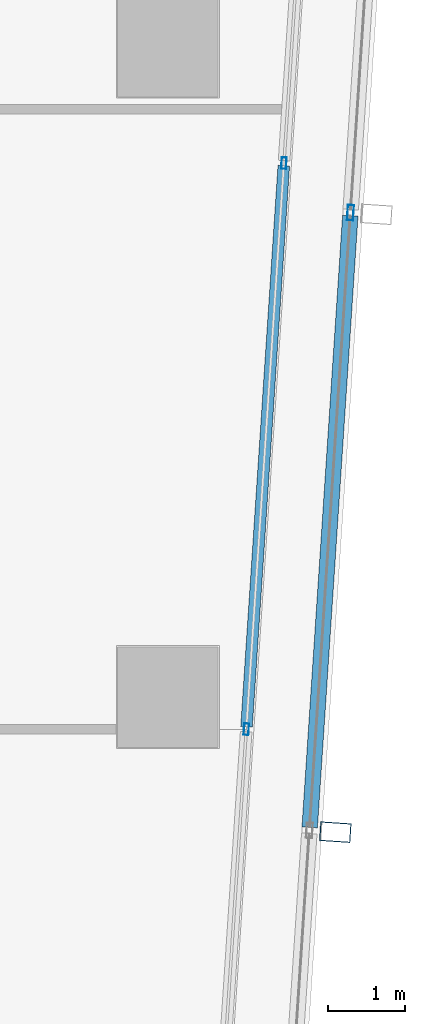
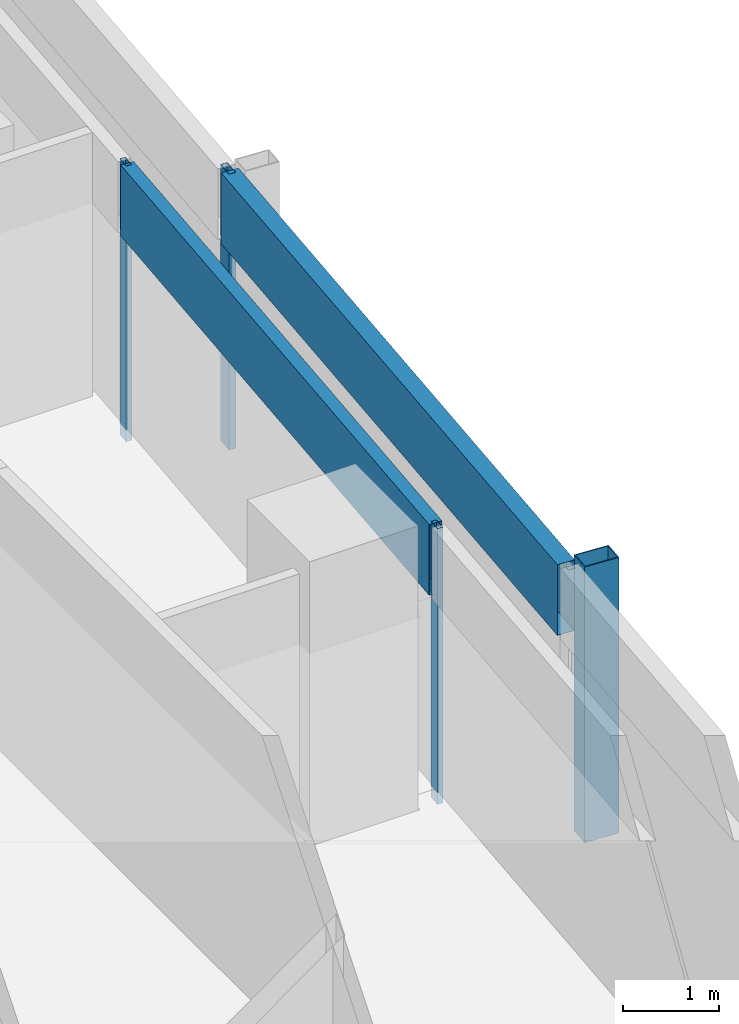
# One storey, part 12 of 29: 6 members, 2 elements without a shape of their own.
"""IFC4 building model written with IfcOpenShell, lengths in metres."""

from ifc_helpers import new_model, si_unit, direction, frame, origin, origin_2d, place, context, subcontext, project, spatial, hollow_rectangle, extrude, material, material_profile, profile_set, type_object, element, aggregate, save


model = new_model("IFC4")

# Units and contexts
model_context = context("Model", 3, precision=1e-05, world=origin(), true_north=direction((0.0, 1.0)))
body_context = subcontext(model_context, "Body", "Model", "MODEL_VIEW")
ifc_project = project(units=[si_unit("LENGTHUNIT", "METRE"), si_unit("AREAUNIT", "SQUARE_METRE"), si_unit("VOLUMEUNIT", "CUBIC_METRE"), si_unit("PLANEANGLEUNIT", "RADIAN"), si_unit("MASSUNIT", "GRAM", prefix="KILO")], contexts=[model_context])

# Site, building, storey
site_placement = place(None, origin())
site = spatial("IfcSite", under=ifc_project, at=site_placement, CompositionType="ELEMENT")
building_placement = place(site_placement, origin())
building = spatial("IfcBuilding", under=site, at=building_placement, Name="Rekha Terrace Tower", CompositionType="ELEMENT")
storey_placement = place(building_placement, frame((0.0, 0.0, 280.10009765625)))
storey = spatial("IfcBuildingStorey", under=building, at=storey_placement, Name="L71", CompositionType="ELEMENT", Elevation=280.10009765625)

# Curtain wall, member
ifc_material_1 = material(Name="Aluminium framing", Category="aluminium")
curtain_wall_type_1 = type_object("IfcCurtainWallType", Name="CW2 double skin outer glazing", PredefinedType="USERDEFINED", material=ifc_material_1)
curtain_wall_1_placement = place(storey_placement, origin())
curtain_wall_1 = element("IfcCurtainWall", 1, at=curtain_wall_1_placement, inside=storey, type_object=curtain_wall_type_1, Name="CW2 double skin outer glazing", ObjectType="DOUBLE SKIN OUTER GLAZING", PredefinedType="USERDEFINED")
ifc_material_2 = material(Name="Steel S355 with fluorocarbon finish", Category="steel")
ifc_material_profile_1 = material_profile(ifc_material_2, hollow_rectangle(XDim=0.25, YDim=0.39990234375, WallThickness=0.012451171875, at=origin_2d()), Name="RHS400x250x12.5")
ifc_profile_set_1 = profile_set([ifc_material_profile_1], Name="Steel S355 with fluorocarbon finish")
member_type_1 = type_object("IfcMemberType", Name="BL1 facade blade RHS 400 x 250", PredefinedType="USERDEFINED", material=ifc_profile_set_1)
member_1_placement = place(storey_placement, frame((60.9638671875, 23.45751953125, 0.0), z_axis=(0.0, 0.0, 1.0), x_axis=(0.066272158908, 0.99780158396, 0.0)))
member_1 = element("IfcMember", 2, at=member_1_placement, type_object=member_type_1, Name="Facade blade", ObjectType="FACADE BLADE", PredefinedType="USERDEFINED", context=body_context, shape_type="SweptSolid", body=[
    extrude(hollow_rectangle(XDim=0.25, YDim=0.39990234375, WallThickness=0.012451171875, at=origin_2d()), origin(), (0.0, 0.0, 1.0), 3.5),
])

# Curtain wall, members
curtain_wall_type_2 = type_object("IfcCurtainWallType", Name="CW1 double skin inner glazing", PredefinedType="USERDEFINED", material=ifc_material_1)
curtain_wall_2_placement = place(storey_placement, origin())
curtain_wall_2 = element("IfcCurtainWall", 3, at=curtain_wall_2_placement, inside=storey, type_object=curtain_wall_type_2, Name="CW1 double skin inner glazing", ObjectType="DOUBLE SKIN INNER GLAZING", PredefinedType="USERDEFINED")
ifc_material_3 = material(Name="Aluminium mullion section", Category="aluminium")
ifc_material_profile_2 = material_profile(ifc_material_3, hollow_rectangle(XDim=0.06494140625, YDim=0.14990234375, WallThickness=0.00390625, at=origin_2d()), Name="AL RHS 65x150")
ifc_profile_set_2 = profile_set([ifc_material_profile_2], Name="Aluminium mullion section")
member_type_2 = type_object("IfcMemberType", Name="CW1 mullion RHS 65 x 150", PredefinedType="MULLION", material=ifc_profile_set_2)
member_2_placement = place(storey_placement, frame((59.814453125, 24.78662109375, 0.0), z_axis=(0.0, 0.0, 1.0), x_axis=(-0.997801621769, 0.066271589649, 0.0)))
member_2 = element("IfcMember", 4, at=member_2_placement, type_object=member_type_2, Name="CW1 mullion 2", PredefinedType="MULLION", context=body_context, shape_type="SweptSolid", body=[
    extrude(hollow_rectangle(XDim=0.06494140625, YDim=0.14990234375, WallThickness=0.00390625, at=origin_2d()), origin(), (0.0, 0.0, 1.0), 3.5),
])
member_3_placement = place(storey_placement, frame((60.300048828125, 32.0966796875, 0.0), z_axis=(0.0, 0.0, 1.0), x_axis=(-0.997801621769, 0.066271589649, 0.0)))
member_3 = element("IfcMember", 5, at=member_3_placement, type_object=member_type_2, Name="CW1 mullion 3", PredefinedType="MULLION", context=body_context, shape_type="SweptSolid", body=[
    extrude(hollow_rectangle(XDim=0.06494140625, YDim=0.14990234375, WallThickness=0.00390625, at=origin_2d()), origin(), (0.0, 0.0, 1.0), 3.5),
])
ifc_material_4 = material(Name="Insulated aluminium spandrel box", Category="aluminium")
ifc_material_profile_3 = material_profile(ifc_material_4, hollow_rectangle(XDim=0.14990234375, YDim=0.89990234375, WallThickness=0.0029296875, at=origin_2d()), Name="AL SPANDREL BOX 150x900")
ifc_profile_set_3 = profile_set([ifc_material_profile_3], Name="Insulated aluminium spandrel box")
member_type_3 = type_object("IfcMemberType", Name="CW1 spandrel transom 150 x 900", PredefinedType="USERDEFINED", material=ifc_profile_set_3)
member_4_placement = place(storey_placement, frame((59.816650390625, 24.81884765625, 3.0498046875), z_axis=(0.066266851431, 0.997801936459, 0.0), x_axis=(-0.997801936459, 0.066266851431, 0.0)))
member_4 = element("IfcMember", 6, at=member_4_placement, type_object=member_type_3, Name="CW1 spandrel transom 2", ObjectType="TRANSOM", PredefinedType="USERDEFINED", context=body_context, shape_type="SweptSolid", body=[
    extrude(hollow_rectangle(XDim=0.14990234375, YDim=0.89990234375, WallThickness=0.0029296875, at=origin_2d()), origin(), (0.0, 0.0, 1.0), 7.261474609375),
])
aggregate(curtain_wall_2, [member_2, member_3, member_4])

# Member
ifc_material_profile_4 = material_profile(ifc_material_3, hollow_rectangle(XDim=0.080078125, YDim=0.199951171875, WallThickness=0.00390625, at=origin_2d()), Name="AL RHS 80x200")
ifc_profile_set_4 = profile_set([ifc_material_profile_4], Name="Aluminium mullion section")
member_type_4 = type_object("IfcMemberType", Name="CW2 mullion RHS 80 x 200", PredefinedType="MULLION", material=ifc_profile_set_4)
member_5_placement = place(storey_placement, frame((61.159423828125, 31.457275390625, 0.0), z_axis=(0.0, 0.0, 1.0), x_axis=(-0.997801621769, 0.066271589649, 0.0)))
member_5 = element("IfcMember", 7, at=member_5_placement, type_object=member_type_4, Name="CW2 mullion 3", PredefinedType="MULLION", context=body_context, shape_type="SweptSolid", body=[
    extrude(hollow_rectangle(XDim=0.080078125, YDim=0.199951171875, WallThickness=0.00390625, at=origin_2d()), origin(), (0.0, 0.0, 1.0), 3.5),
])

ifc_material_profile_5 = material_profile(ifc_material_4, hollow_rectangle(XDim=0.199951171875, YDim=0.89990234375, WallThickness=0.0029296875, at=origin_2d()), Name="AL SPANDREL BOX 200x900")
ifc_profile_set_5 = profile_set([ifc_material_profile_5], Name="Insulated aluminium spandrel box")
member_type_5 = type_object("IfcMemberType", Name="CW2 spandrel transom 200 x 900", PredefinedType="USERDEFINED", material=ifc_profile_set_5)
member_6_placement = place(storey_placement, frame((60.63232421875, 23.51953125, 3.0498046875), z_axis=(0.066252876442, 0.997802864479, 0.0), x_axis=(-0.997802864479, 0.066252876442, 0.0)))
member_6 = element("IfcMember", 8, at=member_6_placement, type_object=member_type_5, Name="CW2 spandrel transom 2", ObjectType="TRANSOM", PredefinedType="USERDEFINED", context=body_context, shape_type="SweptSolid", body=[
    extrude(hollow_rectangle(XDim=0.199951171875, YDim=0.89990234375, WallThickness=0.0029296875, at=origin_2d()), origin(), (0.0, 0.0, 1.0), 7.915283203125),
])

aggregate(curtain_wall_1, [member_5, member_6, member_1])

save(model, "model.ifc")
